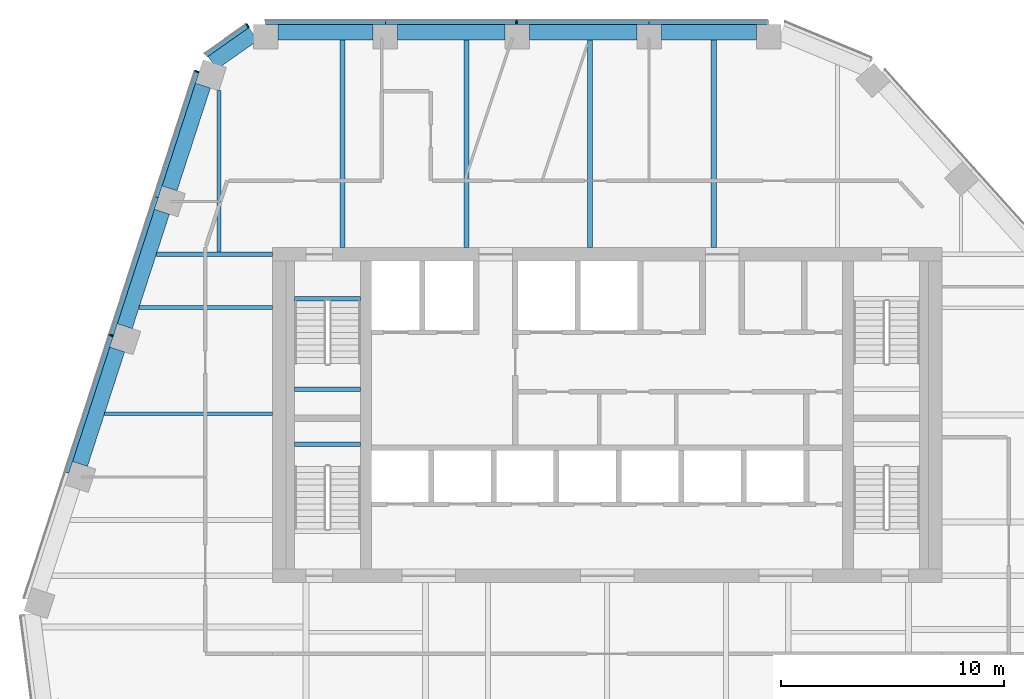
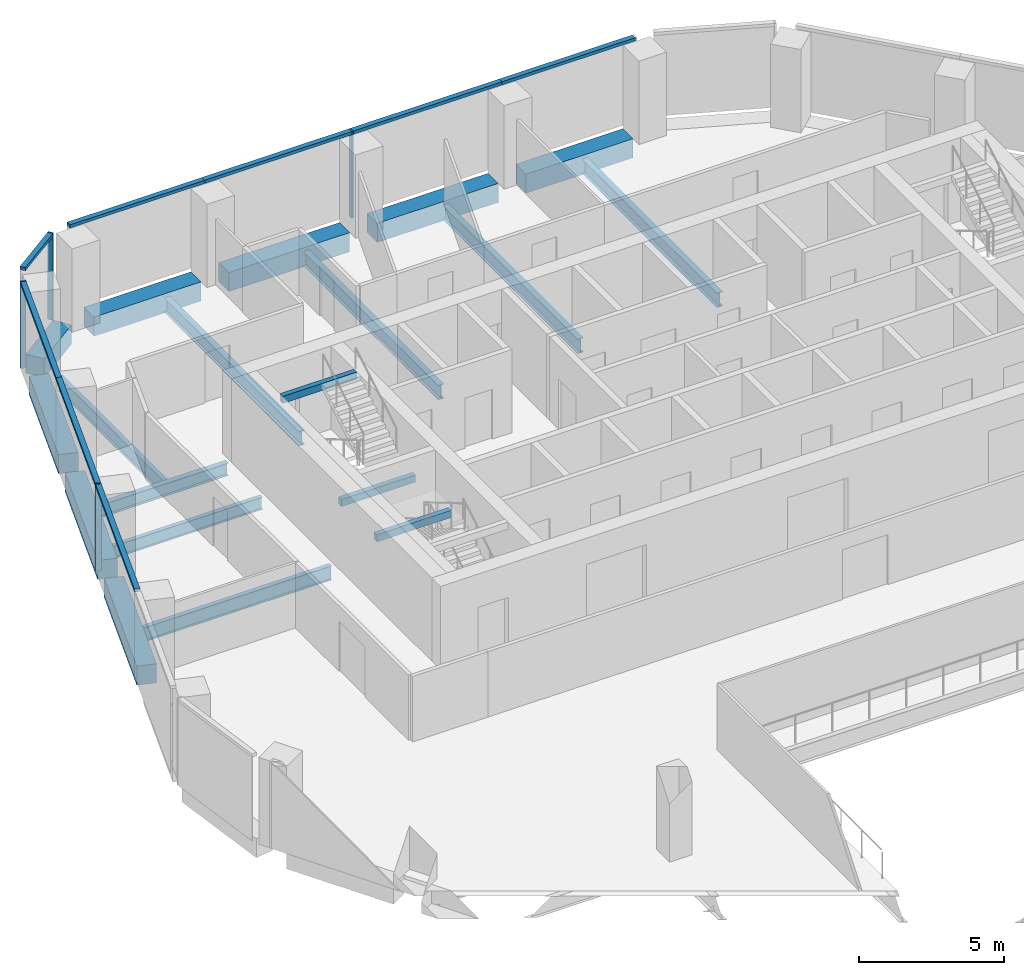
# One storey, part 6 of 15: 19 beams, 12 members, 3 elements without a shape of their own.
"""IFC4 building model written with IfcOpenShell, lengths in metres."""

from ifc_helpers import new_model, si_unit, direction, frame, origin, origin_2d, place, context, subcontext, project, spatial, rectangle, i_section, extrude, material, layer, layer_set, material_profile, profile_set, type_object, element, aggregate, save


model = new_model("IFC4")

# Units and contexts
model_context = context("Model", 3, precision=1e-05, world=origin(), true_north=direction((0.0, 1.0)))
body_context = subcontext(model_context, "Body", "Model", "MODEL_VIEW")
ifc_project = project(units=[si_unit("LENGTHUNIT", "METRE"), si_unit("AREAUNIT", "SQUARE_METRE"), si_unit("VOLUMEUNIT", "CUBIC_METRE"), si_unit("PLANEANGLEUNIT", "RADIAN"), si_unit("MASSUNIT", "GRAM", prefix="KILO")], contexts=[model_context])

# Site, building, storey
site_placement = place(None, origin())
site = spatial("IfcSite", under=ifc_project, at=site_placement, CompositionType="ELEMENT")
building_placement = place(site_placement, origin())
building = spatial("IfcBuilding", under=site, at=building_placement, Name="Isthmus Gate Tower", CompositionType="ELEMENT")
storey_placement = place(building_placement, frame((0.0, 0.0, 223.60009765625)))
storey = spatial("IfcBuildingStorey", under=building, at=storey_placement, Name="L56", CompositionType="ELEMENT", Elevation=223.60009765625)

# Curtain wall, member
ifc_material_1 = material(Name="Aluminium, pale champagne anodised", Category="aluminium")
ifc_layer = layer(ifc_material_1, 0.199951171875)
ifc_layer_set = layer_set([ifc_layer], Name="CW-1 UNITISED CURTAIN WALL 200 DEEP")
curtain_wall_type = type_object("IfcCurtainWallType", Name="CW-1 UNITISED CURTAIN WALL 200 DEEP", PredefinedType="NOTDEFINED", material=ifc_layer_set)
curtain_wall_1_placement = place(storey_placement, origin())
curtain_wall_1 = element("IfcCurtainWall", 1, at=curtain_wall_1_placement, inside=storey, type_object=curtain_wall_type, Name="CW-1 N L56", PredefinedType="NOTDEFINED")
ifc_material_2 = material(Name="Aluminium, pale champagne anodised", Category="aluminium")
ifc_material_profile_1 = material_profile(ifc_material_2, rectangle(XDim=0.06005859375, YDim=0.199951171875, at=origin_2d()), Name="60x200")
ifc_profile_set_1 = profile_set([ifc_material_profile_1], Name="Aluminium, pale champagne anodised")
member_type_1 = type_object("IfcMemberType", Name="CW-1 MULLION 60 X 200", PredefinedType="MULLION", material=ifc_profile_set_1)
member_1_placement = place(storey_placement, frame((-4.06005859375, 25.10009765625, 0.0), z_axis=(0.0, 0.0, 1.0), x_axis=(-1.0, 0.0, 0.0)))
member_1 = element("IfcMember", 2, at=member_1_placement, type_object=member_type_1, Name="CW-1 mullion", PredefinedType="MULLION", context=body_context, shape_type="SweptSolid", body=[
    extrude(rectangle(XDim=0.06005859375, YDim=0.199951171875, at=origin_2d()), origin(), (0.0, 0.0, 1.0), 3.64990234375),
])

curtain_wall_2_placement = place(storey_placement, origin())
curtain_wall_2 = element("IfcCurtainWall", 3, at=curtain_wall_2_placement, inside=storey, type_object=curtain_wall_type, Name="CW-1 N-NW L56", PredefinedType="NOTDEFINED")
member_2_placement = place(storey_placement, frame((-16.10595703125, 24.943115234375, 0.0), z_axis=(0.0, 0.0, 1.0), x_axis=(-0.81785959165, -0.57541783805, 0.0)))
member_2 = element("IfcMember", 4, at=member_2_placement, type_object=member_type_1, Name="CW-1 mullion", PredefinedType="MULLION", context=body_context, shape_type="SweptSolid", body=[
    extrude(rectangle(XDim=0.06005859375, YDim=0.199951171875, at=origin_2d()), origin(), (0.0, 0.0, 1.0), 3.64990234375),
])

# Curtain wall, members
curtain_wall_3_placement = place(storey_placement, origin())
curtain_wall_3 = element("IfcCurtainWall", 5, at=curtain_wall_3_placement, inside=storey, type_object=curtain_wall_type, Name="CW-1 NW L56", PredefinedType="NOTDEFINED")
member_3_placement = place(storey_placement, frame((-18.37841796875, 22.894287109375, 0.0), z_axis=(0.0, 0.0, 1.0), x_axis=(-0.309016994375, -0.951056516295, 0.0)))
member_3 = element("IfcMember", 6, at=member_3_placement, type_object=member_type_1, Name="CW-1 mullion", PredefinedType="MULLION", context=body_context, shape_type="SweptSolid", body=[
    extrude(rectangle(XDim=0.06005859375, YDim=0.199951171875, at=origin_2d()), origin(), (0.0, 0.0, 1.0), 3.64990234375),
])
member_4_placement = place(storey_placement, frame((-22.220703125, 11.069091796875, 0.0), z_axis=(0.0, 0.0, 1.0), x_axis=(-0.309016994375, -0.951056516295, 0.0)))
member_4 = element("IfcMember", 7, at=member_4_placement, type_object=member_type_1, Name="CW-1 mullion", PredefinedType="MULLION", context=body_context, shape_type="SweptSolid", body=[
    extrude(rectangle(XDim=0.06005859375, YDim=0.199951171875, at=origin_2d()), origin(), (0.0, 0.0, 1.0), 3.64990234375),
])

# Member
ifc_material_3 = material(Name="Aluminium, pale champagne anodised", Category="aluminium")
ifc_material_profile_2 = material_profile(ifc_material_3, rectangle(XDim=0.199951171875, YDim=0.1298828125, at=origin_2d()), Name="200x130")
ifc_profile_set_2 = profile_set([ifc_material_profile_2], Name="Aluminium, pale champagne anodised")
member_type_2 = type_object("IfcMemberType", Name="CW-1 TRANSOM 200 X 130", PredefinedType="USERDEFINED", material=ifc_profile_set_2)
member_5_placement = place(storey_placement, frame((7.18115234375, 25.10009765625, 3.5849609375), z_axis=(-1.0, 0.0, 0.0), x_axis=(0.0, -1.0, 0.0)))
member_5 = element("IfcMember", 8, at=member_5_placement, type_object=member_type_2, Name="CW-1 transom", ObjectType="TRANSOM", PredefinedType="USERDEFINED", context=body_context, shape_type="SweptSolid", body=[
    extrude(rectangle(XDim=0.199951171875, YDim=0.1298828125, at=origin_2d()), origin(), (0.0, 0.0, 1.0), 5.300537109375),
])

member_6_placement = place(storey_placement, frame((1.880615234375, 25.10009765625, 3.5849609375), z_axis=(-1.0, 0.0, 0.0), x_axis=(0.0, -1.0, 0.0)))
member_6 = element("IfcMember", 9, at=member_6_placement, type_object=member_type_2, Name="CW-1 transom", ObjectType="TRANSOM", PredefinedType="USERDEFINED", context=body_context, shape_type="SweptSolid", body=[
    extrude(rectangle(XDim=0.199951171875, YDim=0.1298828125, at=origin_2d()), origin(), (0.0, 0.0, 1.0), 5.91064453125),
])

member_7_placement = place(storey_placement, frame((-4.090087890625, 25.10009765625, 3.5849609375), z_axis=(-1.0, 0.0, 0.0), x_axis=(0.0, -1.0, 0.0)))
member_7 = element("IfcMember", 10, at=member_7_placement, type_object=member_type_2, Name="CW-1 transom", ObjectType="TRANSOM", PredefinedType="USERDEFINED", context=body_context, shape_type="SweptSolid", body=[
    extrude(rectangle(XDim=0.199951171875, YDim=0.1298828125, at=origin_2d()), origin(), (0.0, 0.0, 1.0), 5.8505859375),
])

member_8_placement = place(storey_placement, frame((-9.940673828125, 25.10009765625, 3.5849609375), z_axis=(-1.0, 0.0, 0.0), x_axis=(0.0, -1.0, 0.0)))
member_8 = element("IfcMember", 11, at=member_8_placement, type_object=member_type_2, Name="CW-1 transom", ObjectType="TRANSOM", PredefinedType="USERDEFINED", context=body_context, shape_type="SweptSolid", body=[
    extrude(rectangle(XDim=0.199951171875, YDim=0.1298828125, at=origin_2d()), origin(), (0.0, 0.0, 1.0), 5.360595703125),
])

aggregate(curtain_wall_1, [member_5, member_6, member_1, member_7, member_8])

member_9_placement = place(storey_placement, frame((-16.130615234375, 24.92578125, 3.5849609375), z_axis=(-0.817868595604, -0.575405040233, 0.0), x_axis=(0.575405040233, -0.817868595604, 0.0)))
member_9 = element("IfcMember", 12, at=member_9_placement, type_object=member_type_2, Name="CW-1 transom", ObjectType="TRANSOM", PredefinedType="USERDEFINED", context=body_context, shape_type="SweptSolid", body=[
    extrude(rectangle(XDim=0.199951171875, YDim=0.1298828125, at=origin_2d()), origin(), (0.0, 0.0, 1.0), 2.258544921875),
])

aggregate(curtain_wall_2, [member_2, member_9])

member_10_placement = place(storey_placement, frame((-18.3876953125, 22.86572265625, 3.5849609375), z_axis=(-0.309021311898, -0.951055113436, 0.0), x_axis=(0.951055113436, -0.309021311898, 0.0)))
member_10 = element("IfcMember", 13, at=member_10_placement, type_object=member_type_2, Name="CW-1 transom", ObjectType="TRANSOM", PredefinedType="USERDEFINED", context=body_context, shape_type="SweptSolid", body=[
    extrude(rectangle(XDim=0.199951171875, YDim=0.1298828125, at=origin_2d()), origin(), (0.0, 0.0, 1.0), 5.8818359375),
])

member_11_placement = place(storey_placement, frame((-20.205322265625, 17.271728515625, 3.5849609375), z_axis=(-0.309020593362, -0.951055346906, 0.0), x_axis=(0.951055346906, -0.309020593362, 0.0)))
member_11 = element("IfcMember", 14, at=member_11_placement, type_object=member_type_2, Name="CW-1 transom", ObjectType="TRANSOM", PredefinedType="USERDEFINED", context=body_context, shape_type="SweptSolid", body=[
    extrude(rectangle(XDim=0.199951171875, YDim=0.1298828125, at=origin_2d()), origin(), (0.0, 0.0, 1.0), 6.49169921875),
])

member_12_placement = place(storey_placement, frame((-22.22998046875, 11.04052734375, 3.5849609375), z_axis=(-0.309010542947, -0.951058612467, 0.0), x_axis=(0.951058612467, -0.309010542947, 0.0)))
member_12 = element("IfcMember", 15, at=member_12_placement, type_object=member_type_2, Name="CW-1 transom", ObjectType="TRANSOM", PredefinedType="USERDEFINED", context=body_context, shape_type="SweptSolid", body=[
    extrude(rectangle(XDim=0.199951171875, YDim=0.1298828125, at=origin_2d()), origin(), (0.0, 0.0, 1.0), 6.431884765625),
])

aggregate(curtain_wall_3, [member_3, member_10, member_11, member_4, member_12])

# Beams
ifc_material_4 = material(Name="Concrete f'c 50 MPa", Category="concrete")
ifc_material_profile_3 = material_profile(ifc_material_4, rectangle(XDim=0.699951171875, YDim=0.800048828125, at=origin_2d()), Name="RC 700X800")
ifc_profile_set_3 = profile_set([ifc_material_profile_3], Name="Concrete f'c 50 MPa")
beam_type_1 = type_object("IfcBeamType", Name="RC SPANDREL 700 X 800", PredefinedType="SPANDREL", material=ifc_profile_set_3)
for number, where, z_axis, x_axis, name in (
    (16, (-23.61962890625, 5.307373046875, -0.400146484375), (0.309032831924, 0.951051370218, 0.0), (-0.951051370218, 0.309032831924, 0.0), "str-spandrel-L56-22"),
    (17, (-21.613525390625, 11.481689453125, -0.400146484375), (0.309032831924, 0.951051370218, 0.0), (-0.951051370218, 0.309032831924, 0.0), "str-spandrel-L56-23"),
):
    element("IfcBeam", number, at=place(storey_placement, frame(where, z_axis=z_axis, x_axis=x_axis)), inside=storey, type_object=beam_type_1, Name=name, PredefinedType="SPANDREL", context=body_context, shape_type="SweptSolid", body=[
        extrude(rectangle(XDim=0.699951171875, YDim=0.800048828125, at=origin_2d()), origin(), (0.0, 0.0, 1.0), 5.391845703125),
    ])
beam_1_placement = place(storey_placement, frame((-19.607421875, 17.65576171875, -0.400146484375), z_axis=(0.309033626624, 0.951051111989, 0.0), x_axis=(-0.951051111989, 0.309033626624, 0.0)))
element("IfcBeam", 18, at=beam_1_placement, inside=storey, type_object=beam_type_1, Name="str-spandrel-L56-24", PredefinedType="SPANDREL", context=body_context, shape_type="SweptSolid", body=[
    extrude(rectangle(XDim=0.699951171875, YDim=0.800048828125, at=origin_2d()), origin(), (0.0, 0.0, 1.0), 4.842041015625),
])
beam_2_placement = place(storey_placement, frame((-17.68798828125, 23.27978515625, -0.400146484375), z_axis=(0.817855686701, 0.575423388237, 0.0), x_axis=(-0.575423388237, 0.817855686701, 0.0)))
element("IfcBeam", 19, at=beam_2_placement, inside=storey, type_object=beam_type_1, Name="str-spandrel-L56-25", PredefinedType="SPANDREL", context=body_context, shape_type="SweptSolid", body=[
    extrude(rectangle(XDim=0.699951171875, YDim=0.800048828125, at=origin_2d()), origin(), (0.0, 0.0, 1.0), 2.24560546875),
])
beam_3_placement = place(storey_placement, frame((-14.751220703125, 24.64990234375, -0.400146484375), z_axis=(1.0, 0.0, 0.0), x_axis=(0.0, 1.0, 0.0)))
element("IfcBeam", 20, at=beam_3_placement, inside=storey, type_object=beam_type_1, Name="str-spandrel-L56-26", PredefinedType="SPANDREL", context=body_context, shape_type="SweptSolid", body=[
    extrude(rectangle(XDim=0.699951171875, YDim=0.800048828125, at=origin_2d()), origin(), (0.0, 0.0, 1.0), 4.260498046875),
])
for number, where, z_axis, x_axis, name in (
    (21, (-9.390625, 24.64990234375, -0.400146484375), (1.0, 0.0, 0.0), (0.0, 1.0, 0.0), "str-spandrel-L56-27"),
    (22, (-3.47998046875, 24.64990234375, -0.400146484375), (1.0, 0.0, 0.0), (0.0, 1.0, 0.0), "str-spandrel-L56-28"),
):
    element("IfcBeam", number, at=place(storey_placement, frame(where, z_axis=z_axis, x_axis=x_axis)), inside=storey, type_object=beam_type_1, Name=name, PredefinedType="SPANDREL", context=body_context, shape_type="SweptSolid", body=[
        extrude(rectangle(XDim=0.699951171875, YDim=0.800048828125, at=origin_2d()), origin(), (0.0, 0.0, 1.0), 4.810546875),
    ])
beam_4_placement = place(storey_placement, frame((2.430419921875, 24.64990234375, -0.400146484375), z_axis=(1.0, 0.0, 0.0), x_axis=(0.0, 1.0, 0.0)))
element("IfcBeam", 23, at=beam_4_placement, inside=storey, type_object=beam_type_1, Name="str-spandrel-L56-29", PredefinedType="SPANDREL", context=body_context, shape_type="SweptSolid", body=[
    extrude(rectangle(XDim=0.699951171875, YDim=0.800048828125, at=origin_2d()), origin(), (0.0, 0.0, 1.0), 4.2607421875),
])
ifc_material_5 = material(Name="Concrete f'c 40 MPa", Category="concrete")
ifc_material_profile_4 = material_profile(ifc_material_5, rectangle(XDim=0.199951171875, YDim=0.300048828125, at=origin_2d()), Name="STAIR LANDING BEAM RC 200 X 300")
ifc_profile_set_4 = profile_set([ifc_material_profile_4], Name="Concrete f'c 40 MPa")
beam_type_2 = type_object("IfcBeamType", Name="STAIR LANDING BEAM RC 200 X 300", PredefinedType="BEAM", material=ifc_profile_set_4)
for number, where, z_axis, x_axis, name in (
    (24, (-14.0, 8.64990234375, 1.474853515625), (1.0, 0.0, 0.0), (0.0, 1.0, 0.0), "L56 ST1 landing beam 1"),
    (25, (-14.0, 12.7001953125, 3.349853515625), (1.0, 0.0, 0.0), (0.0, 1.0, 0.0), "L56 ST1 floor-edge seat beam"),
    (26, (-14.0, 6.199951171875, 1.474853515625), (1.0, 0.0, 0.0), (0.0, 1.0, 0.0), "L56 ST7 landing beam 1"),
):
    element("IfcBeam", number, at=place(storey_placement, frame(where, z_axis=z_axis, x_axis=x_axis)), inside=storey, type_object=beam_type_2, Name=name, PredefinedType="BEAM", context=body_context, shape_type="SweptSolid", body=[
        extrude(rectangle(XDim=0.199951171875, YDim=0.300048828125, at=origin_2d()), origin(), (0.0, 0.0, 1.0), 2.949951171875),
    ])
ifc_material_6 = material(Name="Structural steel ASTM A992 Gr 50", Category="steel")
ifc_material_profile_5 = material_profile(ifc_material_6, i_section(OverallWidth=0.1650390625, OverallDepth=0.52392578125, WebThickness=0.009521484375, FlangeThickness=0.010986328125, at=origin_2d()), Name="W21X44")
ifc_profile_set_5 = profile_set([ifc_material_profile_5], Name="Structural steel ASTM A992 Gr 50")
beam_type_3 = type_object("IfcBeamType", Name="STEEL FLOOR BEAM W21X44", PredefinedType="JOIST", material=ifc_profile_set_5)
beam_5_placement = place(storey_placement, frame((-20.973388671875, 12.319091796875, -0.412109375), z_axis=(1.0, 0.0, 0.0), x_axis=(0.0, 1.0, 0.0)))
element("IfcBeam", 27, at=beam_5_placement, inside=storey, type_object=beam_type_3, Name="str-beam-L56-00-02", PredefinedType="JOIST", context=body_context, shape_type="SweptSolid", body=[
    extrude(i_section(OverallWidth=0.1650390625, OverallDepth=0.52392578125, WebThickness=0.009521484375, FlangeThickness=0.010986328125, at=origin_2d()), origin(), (0.0, 0.0, 1.0), 5.973388671875),
])
ifc_material_7 = material(Name="Structural steel ASTM A992 Gr 50", Category="steel")
ifc_material_profile_6 = material_profile(ifc_material_7, i_section(OverallWidth=0.177734375, OverallDepth=0.60009765625, WebThickness=0.009521484375, FlangeThickness=0.0126953125, at=origin_2d()), Name="W24X55")
ifc_profile_set_6 = profile_set([ifc_material_profile_6], Name="Structural steel ASTM A992 Gr 50")
beam_type_4 = type_object("IfcBeamType", Name="STEEL FLOOR BEAM W24X55", PredefinedType="JOIST", material=ifc_profile_set_6)
beam_6_placement = place(storey_placement, frame((-22.520751953125, 7.55712890625, -0.4501953125), z_axis=(1.0, 0.0, 0.0), x_axis=(0.0, 1.0, 0.0)))
element("IfcBeam", 28, at=beam_6_placement, inside=storey, type_object=beam_type_4, Name="str-beam-L56-00-01", PredefinedType="JOIST", context=body_context, shape_type="SweptSolid", body=[
    extrude(i_section(OverallWidth=0.177734375, OverallDepth=0.60009765625, WebThickness=0.009521484375, FlangeThickness=0.0126953125, at=origin_2d()), origin(), (0.0, 0.0, 1.0), 7.520751953125),
])
beam_7_placement = place(storey_placement, frame((-17.394287109375, 14.8046875, -0.4501953125), z_axis=(0.0, 1.0, 0.0), x_axis=(-1.0, 0.0, 0.0)))
element("IfcBeam", 29, at=beam_7_placement, inside=storey, type_object=beam_type_4, Name="str-beam-L56-05-00", PredefinedType="JOIST", context=body_context, shape_type="SweptSolid", body=[
    extrude(i_section(OverallWidth=0.177734375, OverallDepth=0.60009765625, WebThickness=0.009521484375, FlangeThickness=0.0126953125, at=origin_2d()), origin(), (0.0, 0.0, 1.0), 7.235107421875),
])
ifc_material_8 = material(Name="Structural steel ASTM A992 Gr 50", Category="steel")
ifc_material_profile_7 = material_profile(ifc_material_8, i_section(OverallWidth=0.228515625, OverallDepth=0.603271484375, WebThickness=0.010986328125, FlangeThickness=0.014404296875, at=origin_2d()), Name="W24X68")
ifc_profile_set_7 = profile_set([ifc_material_profile_7], Name="Structural steel ASTM A992 Gr 50")
beam_type_5 = type_object("IfcBeamType", Name="STEEL FLOOR BEAM W24X68", PredefinedType="JOIST", material=ifc_profile_set_7)
for number, where, z_axis, x_axis, name in (
    (30, (-11.8515625, 15.0, -0.45166015625), (0.0, 1.0, 0.0), (-1.0, 0.0, 0.0), "str-beam-L56-05-01"),
    (31, (-6.308837890625, 15.0, -0.45166015625), (0.0, 1.0, 0.0), (-1.0, 0.0, 0.0), "str-beam-L56-05-02"),
    (32, (-0.76611328125, 15.0, -0.45166015625), (0.0, 1.0, 0.0), (-1.0, 0.0, 0.0), "str-beam-L56-05-03"),
    (33, (4.776611328125, 15.0, -0.45166015625), (0.0, 1.0, 0.0), (-1.0, 0.0, 0.0), "str-beam-L56-05-04"),
):
    element("IfcBeam", number, at=place(storey_placement, frame(where, z_axis=z_axis, x_axis=x_axis)), inside=storey, type_object=beam_type_5, Name=name, PredefinedType="JOIST", context=body_context, shape_type="SweptSolid", body=[
        extrude(i_section(OverallWidth=0.228515625, OverallDepth=0.603271484375, WebThickness=0.010986328125, FlangeThickness=0.014404296875, at=origin_2d()), origin(), (0.0, 0.0, 1.0), 9.300048828125),
    ])
ifc_material_9 = material(Name="Structural steel ASTM A992 Gr 50", Category="steel")
ifc_material_profile_8 = material_profile(ifc_material_9, i_section(OverallWidth=0.20947265625, OverallDepth=0.533447265625, WebThickness=0.009521484375, FlangeThickness=0.015869140625, at=origin_2d()), Name="W21X62")
ifc_profile_set_8 = profile_set([ifc_material_profile_8], Name="Structural steel ASTM A992 Gr 50")
beam_type_6 = type_object("IfcBeamType", Name="STEEL GIRDER W21X62", PredefinedType="BEAM", material=ifc_profile_set_8)
beam_8_placement = place(storey_placement, frame((-15.0, 14.699951171875, -0.416748046875), z_axis=(-1.0, 0.0, 0.0), x_axis=(0.0, -1.0, 0.0)))
element("IfcBeam", 34, at=beam_8_placement, inside=storey, type_object=beam_type_6, Name="str-girder-L56-11", PredefinedType="BEAM", context=body_context, shape_type="SweptSolid", body=[
    extrude(i_section(OverallWidth=0.20947265625, OverallDepth=0.533447265625, WebThickness=0.009521484375, FlangeThickness=0.015869140625, at=origin_2d()), origin(), (0.0, 0.0, 1.0), 5.19970703125),
])

save(model, "model.ifc")
